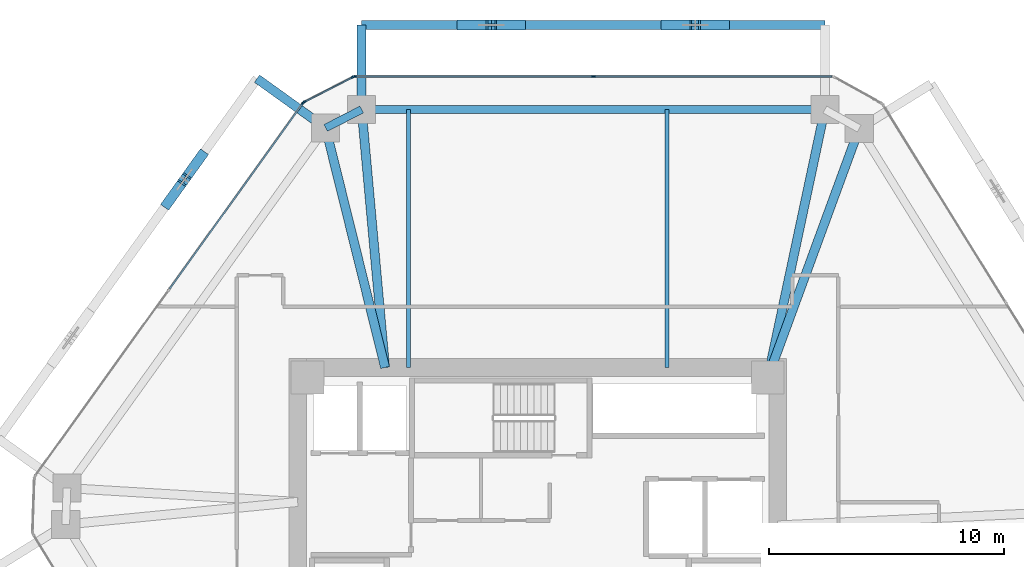
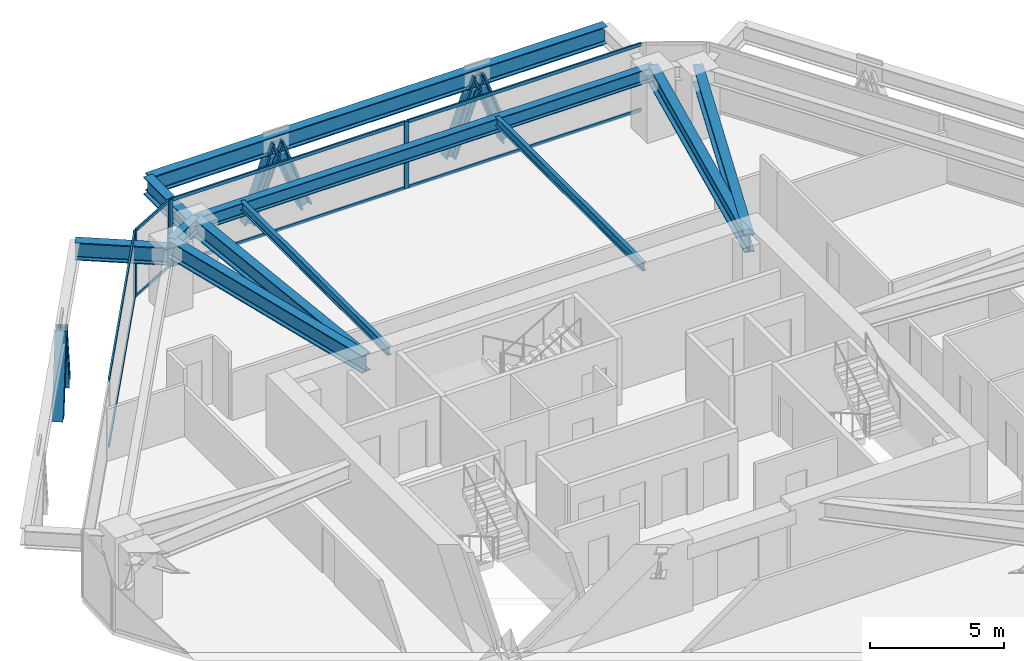
# One storey, part 7 of 15: 19 members, 11 beams, 3 elements without a shape of their own.
"""IFC4 building model written with IfcOpenShell, lengths in metres."""

from ifc_helpers import new_model, si_unit, direction, frame, origin, origin_2d, place, context, subcontext, project, spatial, rectangle, i_section, extrude, source, transform, mapped, material, layer, layer_set, material_profile, profile_set, type_object, type_shapes, element, aggregate, save


model = new_model("IFC4")

# Units and contexts
model_context = context("Model", 3, precision=1e-05, world=origin(), true_north=direction((0.0, 1.0)))
body_context = subcontext(model_context, "Body", "Model", "MODEL_VIEW")
ifc_project = project(units=[si_unit("LENGTHUNIT", "METRE"), si_unit("AREAUNIT", "SQUARE_METRE"), si_unit("VOLUMEUNIT", "CUBIC_METRE"), si_unit("PLANEANGLEUNIT", "RADIAN"), si_unit("MASSUNIT", "GRAM", prefix="KILO")], contexts=[model_context])

# Site, building, storey
site_placement = place(None, origin())
site = spatial("IfcSite", under=ifc_project, at=site_placement, CompositionType="ELEMENT")
building_placement = place(site_placement, origin())
building = spatial("IfcBuilding", under=site, at=building_placement, Name="Durnholm Broadcast Tower", CompositionType="ELEMENT")
storey_placement = place(building_placement, frame((0.0, 0.0, 104.10009765625)))
storey = spatial("IfcBuildingStorey", under=building, at=storey_placement, Name="L27", CompositionType="ELEMENT", Elevation=104.10009765625)

# Beams
ifc_material_1 = material(Name="Steel ASTM A992 Grade 50", Category="steel")
ifc_material_profile_1 = material_profile(ifc_material_1, i_section(OverallWidth=0.385009765625, OverallDepth=0.802978515625, WebThickness=0.023681640625, FlangeThickness=0.0419921875, FilletRadius=0.032958984375, at=origin_2d()), Name="W30X261")
ifc_profile_set_1 = profile_set([ifc_material_profile_1], Name="Steel ASTM A992 Grade 50")
beam_type_1 = type_object("IfcBeamType", Name="BM-EXO-TIE", PredefinedType="USERDEFINED", material=ifc_profile_set_1)
shared_shape_1 = source(origin(), body_context, "Body", "SweptSolid", [
    extrude(i_section(OverallWidth=0.385009765625, OverallDepth=0.802978515625, WebThickness=0.023681640625, FlangeThickness=0.0419921875, FilletRadius=0.032958984375, at=origin_2d()), origin(), (0.0, 0.0, 1.0), 3.4560546875),
])
beam_1_placement = place(storey_placement, frame((-7.498046875, 19.35888671875, 2.30859375), z_axis=(0.0, 1.0, 0.0), x_axis=(-1.0, 0.0, 0.0)))
element("IfcBeam", 1, at=beam_1_placement, inside=storey, type_object=beam_type_1, Name="L27 exoskeleton stand-off tie bracket F4.2", ObjectType="GIRDER", PredefinedType="USERDEFINED", context=body_context, shape_type="MappedRepresentation", body=[
    mapped(shared_shape_1, transform((0.0, 0.0, 0.0), x_axis=(1.0, 0.0, 0.0), y_axis=(0.0, 1.0, 0.0), z_axis=(0.0, 0.0, 1.0), scale=1.0)),
])
ifc_material_profile_2 = material_profile(ifc_material_1, i_section(OverallWidth=0.3291015625, OverallDepth=0.635009765625, WebThickness=0.017822265625, FlangeThickness=0.031005859375, FilletRadius=0.02783203125, at=origin_2d()), Name="W24X162")
ifc_profile_set_2 = profile_set([ifc_material_profile_2], Name="Steel ASTM A992 Grade 50")
beam_type_2 = type_object("IfcBeamType", Name="STL-SP-W24X162", PredefinedType="SPANDREL", material=ifc_profile_set_2)
shared_shape_2 = source(origin(), body_context, "Body", "SweptSolid", [
    extrude(i_section(OverallWidth=0.3291015625, OverallDepth=0.635009765625, WebThickness=0.017822265625, FlangeThickness=0.031005859375, FilletRadius=0.02783203125, at=origin_2d()), origin(), (0.0, 0.0, 1.0), 1.723876953125),
])
beam_2_placement = place(storey_placement, frame((-9.031982421875, 18.42822265625, 2.727294921875), z_axis=(0.889762904339, 0.456423020959, 0.0), x_axis=(-0.456423020959, 0.889762904339, 0.0)))
element("IfcBeam", 2, at=beam_2_placement, inside=storey, type_object=beam_type_2, Name="L27 perimeter spandrel girder 04", PredefinedType="SPANDREL", context=body_context, shape_type="MappedRepresentation", body=[
    mapped(shared_shape_2, transform((0.0, 0.0, 0.0), x_axis=(1.0, 0.0, 0.0), y_axis=(0.0, 1.0, 0.0), z_axis=(0.0, 0.0, 1.0), scale=1.0)),
])
shared_shape_3 = source(origin(), body_context, "Body", "SweptSolid", [
    extrude(i_section(OverallWidth=0.3291015625, OverallDepth=0.635009765625, WebThickness=0.017822265625, FlangeThickness=0.031005859375, FilletRadius=0.02783203125, at=origin_2d()), origin(), (0.0, 0.0, 1.0), 19.72802734375),
])
type_shapes(beam_type_2, [shared_shape_2, shared_shape_3])
beam_3_placement = place(storey_placement, frame((-7.498046875, 19.215087890625, 2.727294921875), z_axis=(1.0, 0.0, 0.0), x_axis=(0.0, 1.0, 0.0)))
element("IfcBeam", 3, at=beam_3_placement, inside=storey, type_object=beam_type_2, Name="L27 perimeter spandrel girder 05", PredefinedType="SPANDREL", context=body_context, shape_type="MappedRepresentation", body=[
    mapped(shared_shape_3, transform((0.0, 0.0, 0.0), x_axis=(1.0, 0.0, 0.0), y_axis=(0.0, 1.0, 0.0), z_axis=(0.0, 0.0, 1.0), scale=1.0)),
])
ifc_material_profile_3 = material_profile(ifc_material_1, i_section(OverallWidth=0.385009765625, OverallDepth=0.802978515625, WebThickness=0.023681640625, FlangeThickness=0.0419921875, FilletRadius=0.032958984375, at=origin_2d()), Name="W30X261")
ifc_profile_set_3 = profile_set([ifc_material_profile_3], Name="Steel ASTM A992 Grade 50")
beam_type_3 = type_object("IfcBeamType", Name="STL-GR-W30X261", PredefinedType="USERDEFINED", material=ifc_profile_set_3)
shared_shape_4 = source(origin(), body_context, "Body", "SweptSolid", [
    extrude(i_section(OverallWidth=0.385009765625, OverallDepth=0.802978515625, WebThickness=0.023681640625, FlangeThickness=0.0419921875, FilletRadius=0.032958984375, at=origin_2d()), origin(), (0.0, 0.0, 1.0), 10.5126953125),
])
beam_4_placement = place(storey_placement, frame((-6.5, 8.22509765625, 2.643310546875), z_axis=(-0.240852230194, 0.970561797729, 0.0), x_axis=(-0.970561797729, -0.240852230194, 0.0)))
element("IfcBeam", 4, at=beam_4_placement, inside=storey, type_object=beam_type_3, Name="L27 radial primary floor girder 04", ObjectType="GIRDER", PredefinedType="USERDEFINED", context=body_context, shape_type="MappedRepresentation", body=[
    mapped(shared_shape_4, transform((0.0, 0.0, 0.0), x_axis=(1.0, 0.0, 0.0), y_axis=(0.0, 1.0, 0.0), z_axis=(0.0, 0.0, 1.0), scale=1.0)),
])
shared_shape_5 = source(origin(), body_context, "Body", "SweptSolid", [
    extrude(i_section(OverallWidth=0.385009765625, OverallDepth=0.802978515625, WebThickness=0.023681640625, FlangeThickness=0.0419921875, FilletRadius=0.032958984375, at=origin_2d()), origin(), (0.0, 0.0, 1.0), 11.03515625),
])
beam_5_placement = place(storey_placement, frame((-6.5, 8.22509765625, 2.643310546875), z_axis=(-0.090441991612, 0.995901725148, 0.0), x_axis=(-0.995901725148, -0.090441991612, 0.0)))
element("IfcBeam", 5, at=beam_5_placement, inside=storey, type_object=beam_type_3, Name="L27 radial primary floor girder 05", ObjectType="GIRDER", PredefinedType="USERDEFINED", context=body_context, shape_type="MappedRepresentation", body=[
    mapped(shared_shape_5, transform((0.0, 0.0, 0.0), x_axis=(1.0, 0.0, 0.0), y_axis=(0.0, 1.0, 0.0), z_axis=(0.0, 0.0, 1.0), scale=1.0)),
])
shared_shape_6 = source(origin(), body_context, "Body", "SweptSolid", [
    extrude(i_section(OverallWidth=0.385009765625, OverallDepth=0.802978515625, WebThickness=0.023681640625, FlangeThickness=0.0419921875, FilletRadius=0.032958984375, at=origin_2d()), origin(), (0.0, 0.0, 1.0), 11.6708984375),
])
beam_6_placement = place(storey_placement, frame((9.800048828125, 7.800048828125, 2.643310546875), z_axis=(0.208206004915, 0.97808499606, 0.0), x_axis=(-0.97808499606, 0.208206004915, 0.0)))
element("IfcBeam", 6, at=beam_6_placement, inside=storey, type_object=beam_type_3, Name="L27 radial primary floor girder 06", ObjectType="GIRDER", PredefinedType="USERDEFINED", context=body_context, shape_type="MappedRepresentation", body=[
    mapped(shared_shape_6, transform((0.0, 0.0, 0.0), x_axis=(1.0, 0.0, 0.0), y_axis=(0.0, 1.0, 0.0), z_axis=(0.0, 0.0, 1.0), scale=1.0)),
])
shared_shape_7 = source(origin(), body_context, "Body", "SweptSolid", [
    extrude(i_section(OverallWidth=0.385009765625, OverallDepth=0.802978515625, WebThickness=0.023681640625, FlangeThickness=0.0419921875, FilletRadius=0.032958984375, at=origin_2d()), origin(), (0.0, 0.0, 1.0), 11.293212890625),
])
type_shapes(beam_type_3, [shared_shape_4, shared_shape_5, shared_shape_6, shared_shape_7])
beam_7_placement = place(storey_placement, frame((9.800048828125, 7.800048828125, 2.643310546875), z_axis=(0.344640193759, 0.938734859716, 0.0), x_axis=(-0.938734859716, 0.344640193759, 0.0)))
element("IfcBeam", 7, at=beam_7_placement, inside=storey, type_object=beam_type_3, Name="L27 radial primary floor girder 07", ObjectType="GIRDER", PredefinedType="USERDEFINED", context=body_context, shape_type="MappedRepresentation", body=[
    mapped(shared_shape_7, transform((0.0, 0.0, 0.0), x_axis=(1.0, 0.0, 0.0), y_axis=(0.0, 1.0, 0.0), z_axis=(0.0, 0.0, 1.0), scale=1.0)),
])
ifc_material_profile_4 = material_profile(ifc_material_1, i_section(OverallWidth=0.177734375, OverallDepth=0.40673828125, WebThickness=0.0078125, FlangeThickness=0.0126953125, FilletRadius=0.01904296875, at=origin_2d()), Name="W16X40")
ifc_profile_set_4 = profile_set([ifc_material_profile_4], Name="Steel ASTM A992 Grade 50")
beam_type_4 = type_object("IfcBeamType", Name="STL-BJ-W16X40", PredefinedType="JOIST", material=ifc_profile_set_4)
shared_shape_8 = source(origin(), body_context, "Body", "SweptSolid", [
    extrude(i_section(OverallWidth=0.177734375, OverallDepth=0.40673828125, WebThickness=0.0078125, FlangeThickness=0.0126953125, FilletRadius=0.01904296875, at=origin_2d()), origin(), (0.0, 0.0, 1.0), 10.989990234375),
])
type_shapes(beam_type_4, [shared_shape_8])
for number, where, z_axis, x_axis, name in (
    (8, (-5.5, 8.22509765625, 2.841552734375), (0.0, 1.0, 0.0), (-1.0, 0.0, 0.0), "L27 secondary floor joist 3.2"),
    (9, (5.5, 8.22509765625, 2.841552734375), (0.0, 1.0, 0.0), (-1.0, 0.0, 0.0), "L27 secondary floor joist 4.2"),
):
    element("IfcBeam", number, at=place(storey_placement, frame(where, z_axis=z_axis, x_axis=x_axis)), inside=storey, type_object=beam_type_4, Name=name, PredefinedType="JOIST", context=body_context, shape_type="MappedRepresentation", body=[
        mapped(shared_shape_8, transform((0.0, 0.0, 0.0), x_axis=(1.0, 0.0, 0.0), y_axis=(0.0, 1.0, 0.0), z_axis=(0.0, 0.0, 1.0), scale=1.0)),
    ])
shared_shape_9 = source(origin(), body_context, "Body", "SweptSolid", [
    extrude(i_section(OverallWidth=0.385009765625, OverallDepth=0.802978515625, WebThickness=0.023681640625, FlangeThickness=0.0419921875, FilletRadius=0.032958984375, at=origin_2d()), origin(), (0.0, 0.0, 1.0), 19.72802734375),
])
beam_8_placement = place(storey_placement, frame((12.22998046875, 22.81494140625, 2.30859375), z_axis=(-1.0, 0.0, 0.0), x_axis=(0.0, -1.0, 0.0)))
element("IfcBeam", 10, at=beam_8_placement, inside=storey, type_object=beam_type_1, Name="L27 exoskeleton collector spandrel F4", PredefinedType="SPANDREL", context=body_context, shape_type="MappedRepresentation", body=[
    mapped(shared_shape_9, transform((0.0, 0.0, 0.0), x_axis=(1.0, 0.0, 0.0), y_axis=(0.0, 1.0, 0.0), z_axis=(0.0, 0.0, 1.0), scale=1.0)),
])
shared_shape_10 = source(origin(), body_context, "Body", "SweptSolid", [
    extrude(i_section(OverallWidth=0.385009765625, OverallDepth=0.802978515625, WebThickness=0.023681640625, FlangeThickness=0.0419921875, FilletRadius=0.032958984375, at=origin_2d()), origin(), (0.0, 0.0, 1.0), 3.456298828125),
])
type_shapes(beam_type_1, [shared_shape_1, shared_shape_9, shared_shape_10])
beam_9_placement = place(storey_placement, frame((-9.14892578125, 18.51220703125, 2.30859375), z_axis=(-0.812131479052, 0.583474473077, 0.0), x_axis=(-0.583474473077, -0.812131479052, 0.0)))
element("IfcBeam", 11, at=beam_9_placement, inside=storey, type_object=beam_type_1, Name="L27 exoskeleton stand-off tie bracket F5.1", ObjectType="GIRDER", PredefinedType="USERDEFINED", context=body_context, shape_type="MappedRepresentation", body=[
    mapped(shared_shape_10, transform((0.0, 0.0, 0.0), x_axis=(1.0, 0.0, 0.0), y_axis=(0.0, 1.0, 0.0), z_axis=(0.0, 0.0, 1.0), scale=1.0)),
])

# Members
ifc_material_2 = material(Name="Steel ASTM A913 Grade 65", Category="steel")
ifc_material_profile_5 = material_profile(ifc_material_2, i_section(OverallWidth=0.424072265625, OverallDepth=0.47412109375, WebThickness=0.047607421875, FlangeThickness=0.0771484375, FilletRadius=0.030517578125, at=origin_2d()), Name="W14X426")
ifc_profile_set_5 = profile_set([ifc_material_profile_5], Name="Steel ASTM A913 Grade 65")
member_type_1 = type_object("IfcMemberType", Name="STL-DG-W14X426", PredefinedType="BRACE", material=ifc_profile_set_5)
shared_shape_11 = source(origin(), body_context, "Body", "SweptSolid", [
    extrude(i_section(OverallWidth=0.424072265625, OverallDepth=0.47412109375, WebThickness=0.047607421875, FlangeThickness=0.0771484375, FilletRadius=0.030517578125, at=origin_2d()), origin(), (0.0, 0.0, 1.0), 3.523193359375),
])
type_shapes(member_type_1, [shared_shape_11])
for number, where, z_axis, x_axis, name in (
    (12, (7.93994140625, 22.81494140625, -0.991455078125), (-0.350219588454, 0.0, 0.936667625075), (0.0, -1.0, 0.0), "L27 stand-off diagrid brace F4.D1.1"),
    (13, (5.472412109375, 22.81494140625, -0.991455078125), (0.350158790071, 0.0, 0.936690355313), (0.0, 1.0, 0.0), "L27 stand-off diagrid brace F4.D1.2"),
    (14, (-0.740478515625, 22.81494140625, -0.991455078125), (-0.350219588454, 0.0, 0.936667625075), (0.0, -1.0, 0.0), "L27 stand-off diagrid brace F4.D2.1"),
    (15, (-3.2080078125, 22.81494140625, -0.991455078125), (0.350158790071, 0.0, 0.936690355313), (0.0, 1.0, 0.0), "L27 stand-off diagrid brace F4.D2.2"),
    (16, (-14.321044921875, 17.236328125, -0.991455078125), (-0.204287819296, -0.284395254542, 0.936688756248), (0.812179469647, -0.583407669717, 0.0), "L27 stand-off diagrid brace F5.D1.1"),
    (17, (-15.7607421875, 15.232421875, -0.991455078125), (0.204354222964, 0.284391227889, 0.936675493998), (-0.812085698931, 0.583538188632, 0.0), "L27 stand-off diagrid brace F5.D1.2"),
):
    element("IfcMember", number, at=place(storey_placement, frame(where, z_axis=z_axis, x_axis=x_axis)), inside=storey, type_object=member_type_1, Name=name, PredefinedType="BRACE", context=body_context, shape_type="MappedRepresentation", body=[
        mapped(shared_shape_11, transform((0.0, 0.0, 0.0), x_axis=(1.0, 0.0, 0.0), y_axis=(0.0, 1.0, 0.0), z_axis=(0.0, 0.0, 1.0), scale=1.0)),
    ])

# Curtain wall, members
ifc_material_3 = material(Name="Aluminium and Solar Control IGU", Category="aluminium")
ifc_layer_1 = layer(ifc_material_3, 0.1650390625)
ifc_layer_set_1 = layer_set([ifc_layer_1], Name="Aluminium and Solar Control IGU")
curtain_wall_type_1 = type_object("IfcCurtainWallType", Name="CW-SYS-5", PredefinedType="NOTDEFINED", material=ifc_layer_set_1)
curtain_wall_1_placement = place(storey_placement, origin())
curtain_wall_1 = element("IfcCurtainWall", 18, at=curtain_wall_1_placement, inside=storey, type_object=curtain_wall_type_1, Name="L27 curtain wall CW-CORNER CW-L27-CRN-03", PredefinedType="NOTDEFINED")
ifc_material_4 = material(Name="Aluminium 6063-T6", Category="aluminium")
ifc_material_profile_6 = material_profile(ifc_material_4, rectangle(XDim=0.06494140625, YDim=0.1650390625, at=origin_2d()), Name="CWM65X165")
ifc_profile_set_6 = profile_set([ifc_material_profile_6], Name="Aluminium 6063-T6")
member_type_2 = type_object("IfcMemberType", Name="CW-SYS-5-MUL", PredefinedType="MULLION", material=ifc_profile_set_6)
shared_shape_12 = source(origin(), body_context, "Body", "SweptSolid", [
    extrude(rectangle(XDim=0.06494140625, YDim=0.1650390625, at=origin_2d()), origin(), (0.0, 0.0, 1.0), 3.059814453125),
])
type_shapes(member_type_2, [shared_shape_12])
member_1_placement = place(storey_placement, frame((-9.94287109375, 19.534423828125, 0.0), z_axis=(0.0, 0.0, 1.0), x_axis=(-0.45637332267, 0.889788396392, 0.0)))
member_1 = element("IfcMember", 19, at=member_1_placement, type_object=member_type_2, Name="CW-CORNER mullion 1", PredefinedType="MULLION", context=body_context, shape_type="MappedRepresentation", body=[
    mapped(shared_shape_12, transform((0.0, 0.0, 0.0), x_axis=(1.0, 0.0, 0.0), y_axis=(0.0, 1.0, 0.0), z_axis=(0.0, 0.0, 1.0), scale=1.0)),
])
member_2_placement = place(storey_placement, frame((-7.865234375, 20.60009765625, 0.0), z_axis=(0.0, 0.0, 1.0), x_axis=(-0.45637332267, 0.889788396392, 0.0)))
member_2 = element("IfcMember", 20, at=member_2_placement, type_object=member_type_2, Name="CW-CORNER mullion 2", PredefinedType="MULLION", context=body_context, shape_type="MappedRepresentation", body=[
    mapped(shared_shape_12, transform((0.0, 0.0, 0.0), x_axis=(1.0, 0.0, 0.0), y_axis=(0.0, 1.0, 0.0), z_axis=(0.0, 0.0, 1.0), scale=1.0)),
])

# Curtain wall, member
ifc_layer_2 = layer(ifc_material_3, 0.18994140625)
ifc_layer_set_2 = layer_set([ifc_layer_2], Name="Aluminium and Solar Control IGU")
curtain_wall_type_2 = type_object("IfcCurtainWallType", Name="CW-SYS-3", PredefinedType="NOTDEFINED", material=ifc_layer_set_2)
curtain_wall_2_placement = place(storey_placement, origin())
curtain_wall_2 = element("IfcCurtainWall", 21, at=curtain_wall_2_placement, inside=storey, type_object=curtain_wall_type_2, Name="L27 curtain wall CW-Z12-VIS CW-L27-F02", PredefinedType="NOTDEFINED")
ifc_material_profile_7 = material_profile(ifc_material_4, rectangle(XDim=0.070068359375, YDim=0.18994140625, at=origin_2d()), Name="CWM70X190")
ifc_profile_set_7 = profile_set([ifc_material_profile_7], Name="Aluminium 6063-T6")
member_type_3 = type_object("IfcMemberType", Name="CW-SYS-3-MUL", PredefinedType="MULLION", material=ifc_profile_set_7)
shared_shape_13 = source(origin(), body_context, "Body", "SweptSolid", [
    extrude(rectangle(XDim=0.070068359375, YDim=0.18994140625, at=origin_2d()), origin(), (0.0, 0.0, 1.0), 3.059814453125),
])
type_shapes(member_type_3, [shared_shape_13])
member_3_placement = place(storey_placement, frame((-9.9921875, 19.4912109375, 0.0), z_axis=(0.0, 0.0, 1.0), x_axis=(-0.812152312759, 0.583445473786, 0.0)))
member_3 = element("IfcMember", 22, at=member_3_placement, type_object=member_type_3, Name="CW-Z12-VIS mullion 3", PredefinedType="MULLION", context=body_context, shape_type="MappedRepresentation", body=[
    mapped(shared_shape_13, transform((0.0, 0.0, 0.0), x_axis=(1.0, 0.0, 0.0), y_axis=(0.0, 1.0, 0.0), z_axis=(0.0, 0.0, 1.0), scale=1.0)),
])

# Curtain wall, members
curtain_wall_3_placement = place(storey_placement, origin())
curtain_wall_3 = element("IfcCurtainWall", 23, at=curtain_wall_3_placement, inside=storey, type_object=curtain_wall_type_2, Name="L27 curtain wall CW-Z12-VIS CW-L27-F04", PredefinedType="NOTDEFINED")
member_4_placement = place(storey_placement, frame((-7.80126953125, 20.614990234375, 0.0), z_axis=(0.0, 0.0, 1.0), x_axis=(0.0, 1.0, 0.0)))
member_4 = element("IfcMember", 24, at=member_4_placement, type_object=member_type_3, Name="CW-Z12-VIS mullion 1", PredefinedType="MULLION", context=body_context, shape_type="MappedRepresentation", body=[
    mapped(shared_shape_13, transform((0.0, 0.0, 0.0), x_axis=(1.0, 0.0, 0.0), y_axis=(0.0, 1.0, 0.0), z_axis=(0.0, 0.0, 1.0), scale=1.0)),
])
member_5_placement = place(storey_placement, frame((2.37841796875, 20.614990234375, 0.0), z_axis=(0.0, 0.0, 1.0), x_axis=(0.0, 1.0, 0.0)))
member_5 = element("IfcMember", 25, at=member_5_placement, type_object=member_type_3, Name="CW-Z12-VIS mullion 2", PredefinedType="MULLION", context=body_context, shape_type="MappedRepresentation", body=[
    mapped(shared_shape_13, transform((0.0, 0.0, 0.0), x_axis=(1.0, 0.0, 0.0), y_axis=(0.0, 1.0, 0.0), z_axis=(0.0, 0.0, 1.0), scale=1.0)),
])

# Member
ifc_material_profile_8 = material_profile(ifc_material_4, rectangle(XDim=0.06494140625, YDim=0.1298828125, at=origin_2d()), Name="CWT65X130")
ifc_profile_set_8 = profile_set([ifc_material_profile_8], Name="Aluminium 6063-T6")
member_type_4 = type_object("IfcMemberType", Name="CW-SYS-5-TRN", PredefinedType="USERDEFINED", material=ifc_profile_set_8)
shared_shape_14 = source(origin(), body_context, "Body", "SweptSolid", [
    extrude(rectangle(XDim=0.06494140625, YDim=0.1298828125, at=origin_2d()), origin(), (0.0, 0.0, 1.0), 2.27001953125),
])
type_shapes(member_type_4, [shared_shape_14])
member_6_placement = place(storey_placement, frame((-9.913818359375, 19.54931640625, 0.032470703125), z_axis=(0.889754750021, 0.456438916849, 0.0), x_axis=(-0.456438916849, 0.889754750021, 0.0)))
member_6 = element("IfcMember", 26, at=member_6_placement, type_object=member_type_4, Name="CW-CORNER transom 1.1", ObjectType="TRANSOM", PredefinedType="USERDEFINED", context=body_context, shape_type="MappedRepresentation", body=[
    mapped(shared_shape_14, transform((0.0, 0.0, 0.0), x_axis=(1.0, 0.0, 0.0), y_axis=(0.0, 1.0, 0.0), z_axis=(0.0, 0.0, 1.0), scale=1.0)),
])

member_7_placement = place(storey_placement, frame((-9.913818359375, 19.54931640625, 3.02734375), z_axis=(0.889754750021, 0.456438916849, 0.0), x_axis=(-0.456438916849, 0.889754750021, 0.0)))
member_7 = element("IfcMember", 27, at=member_7_placement, type_object=member_type_4, Name="CW-CORNER transom 1.2", ObjectType="TRANSOM", PredefinedType="USERDEFINED", context=body_context, shape_type="MappedRepresentation", body=[
    mapped(shared_shape_14, transform((0.0, 0.0, 0.0), x_axis=(1.0, 0.0, 0.0), y_axis=(0.0, 1.0, 0.0), z_axis=(0.0, 0.0, 1.0), scale=1.0)),
])

aggregate(curtain_wall_1, [member_1, member_2, member_6, member_7])

ifc_material_profile_9 = material_profile(ifc_material_4, rectangle(XDim=0.070068359375, YDim=0.14990234375, at=origin_2d()), Name="CWT70X150")
ifc_profile_set_9 = profile_set([ifc_material_profile_9], Name="Aluminium 6063-T6")
member_type_5 = type_object("IfcMemberType", Name="CW-SYS-3-TRN", PredefinedType="USERDEFINED", material=ifc_profile_set_9)
shared_shape_15 = source(origin(), body_context, "Body", "SweptSolid", [
    extrude(rectangle(XDim=0.070068359375, YDim=0.14990234375, at=origin_2d()), origin(), (0.0, 0.0, 1.0), 9.71875),
])
member_8_placement = place(storey_placement, frame((-15.682861328125, 11.56982421875, 0.034912109375), z_axis=(0.583450726174, 0.812148539448, 0.0), x_axis=(-0.812148539448, 0.583450726174, 0.0)))
member_8 = element("IfcMember", 28, at=member_8_placement, type_object=member_type_5, Name="CW-Z12-VIS transom 2.1", ObjectType="TRANSOM", PredefinedType="USERDEFINED", context=body_context, shape_type="MappedRepresentation", body=[
    mapped(shared_shape_15, transform((0.0, 0.0, 0.0), x_axis=(1.0, 0.0, 0.0), y_axis=(0.0, 1.0, 0.0), z_axis=(0.0, 0.0, 1.0), scale=1.0)),
])

member_9_placement = place(storey_placement, frame((-15.682861328125, 11.56982421875, 3.02490234375), z_axis=(0.583450726174, 0.812148539448, 0.0), x_axis=(-0.812148539448, 0.583450726174, 0.0)))
member_9 = element("IfcMember", 29, at=member_9_placement, type_object=member_type_5, Name="CW-Z12-VIS transom 2.2", ObjectType="TRANSOM", PredefinedType="USERDEFINED", context=body_context, shape_type="MappedRepresentation", body=[
    mapped(shared_shape_15, transform((0.0, 0.0, 0.0), x_axis=(1.0, 0.0, 0.0), y_axis=(0.0, 1.0, 0.0), z_axis=(0.0, 0.0, 1.0), scale=1.0)),
])

aggregate(curtain_wall_2, [member_3, member_8, member_9])

shared_shape_16 = source(origin(), body_context, "Body", "SweptSolid", [
    extrude(rectangle(XDim=0.070068359375, YDim=0.14990234375, at=origin_2d()), origin(), (0.0, 0.0, 1.0), 10.109619140625),
])
type_shapes(member_type_5, [shared_shape_15, shared_shape_16])
member_10_placement = place(storey_placement, frame((-7.76611328125, 20.614990234375, 0.034912109375), z_axis=(1.0, 0.0, 0.0), x_axis=(0.0, 1.0, 0.0)))
member_10 = element("IfcMember", 30, at=member_10_placement, type_object=member_type_5, Name="CW-Z12-VIS transom 1.1", ObjectType="TRANSOM", PredefinedType="USERDEFINED", context=body_context, shape_type="MappedRepresentation", body=[
    mapped(shared_shape_16, transform((0.0, 0.0, 0.0), x_axis=(1.0, 0.0, 0.0), y_axis=(0.0, 1.0, 0.0), z_axis=(0.0, 0.0, 1.0), scale=1.0)),
])

member_11_placement = place(storey_placement, frame((-7.76611328125, 20.614990234375, 3.02490234375), z_axis=(1.0, 0.0, 0.0), x_axis=(0.0, 1.0, 0.0)))
member_11 = element("IfcMember", 31, at=member_11_placement, type_object=member_type_5, Name="CW-Z12-VIS transom 1.2", ObjectType="TRANSOM", PredefinedType="USERDEFINED", context=body_context, shape_type="MappedRepresentation", body=[
    mapped(shared_shape_16, transform((0.0, 0.0, 0.0), x_axis=(1.0, 0.0, 0.0), y_axis=(0.0, 1.0, 0.0), z_axis=(0.0, 0.0, 1.0), scale=1.0)),
])

member_12_placement = place(storey_placement, frame((2.41357421875, 20.614990234375, 0.034912109375), z_axis=(1.0, 0.0, 0.0), x_axis=(0.0, 1.0, 0.0)))
member_12 = element("IfcMember", 32, at=member_12_placement, type_object=member_type_5, Name="CW-Z12-VIS transom 2.1", ObjectType="TRANSOM", PredefinedType="USERDEFINED", context=body_context, shape_type="MappedRepresentation", body=[
    mapped(shared_shape_16, transform((0.0, 0.0, 0.0), x_axis=(1.0, 0.0, 0.0), y_axis=(0.0, 1.0, 0.0), z_axis=(0.0, 0.0, 1.0), scale=1.0)),
])

member_13_placement = place(storey_placement, frame((2.41357421875, 20.614990234375, 3.02490234375), z_axis=(1.0, 0.0, 0.0), x_axis=(0.0, 1.0, 0.0)))
member_13 = element("IfcMember", 33, at=member_13_placement, type_object=member_type_5, Name="CW-Z12-VIS transom 2.2", ObjectType="TRANSOM", PredefinedType="USERDEFINED", context=body_context, shape_type="MappedRepresentation", body=[
    mapped(shared_shape_16, transform((0.0, 0.0, 0.0), x_axis=(1.0, 0.0, 0.0), y_axis=(0.0, 1.0, 0.0), z_axis=(0.0, 0.0, 1.0), scale=1.0)),
])

aggregate(curtain_wall_3, [member_4, member_5, member_10, member_11, member_12, member_13])

save(model, "model.ifc")
